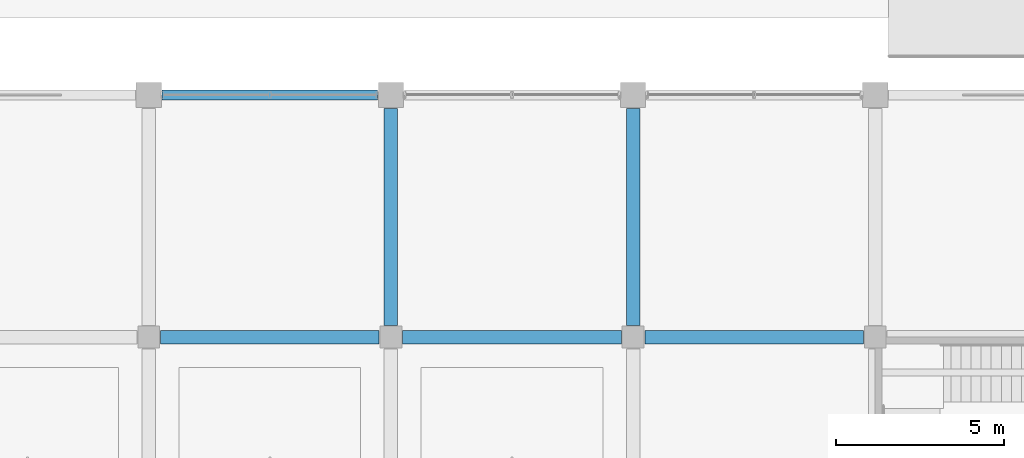
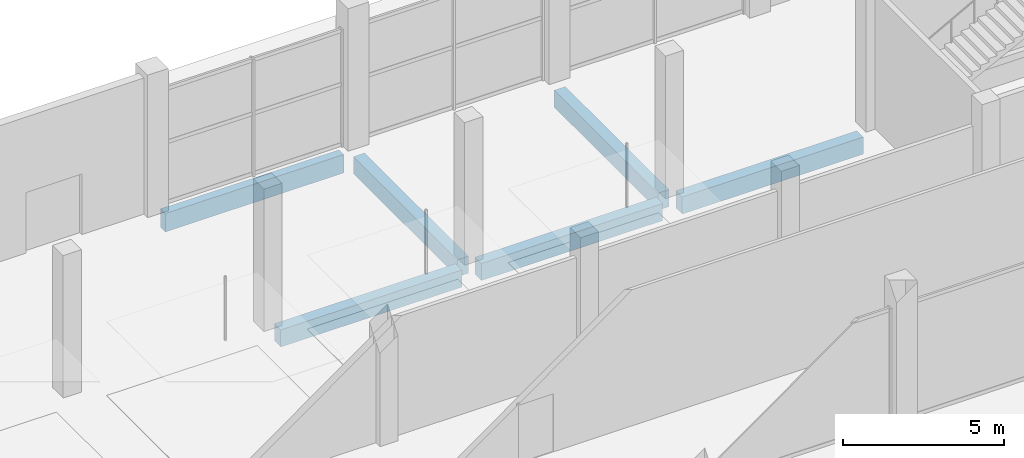
# One storey, part 35 of 90: 6 beams.
"""IFC4 building model written with IfcOpenShell, lengths in metres."""

import ifcopenshell
import ifcopenshell.guid

model = None  # the IFC model being written
_history = None  # IfcOwnerHistory: only IFC2X3 demands one
_inside = {}  # id of a spatial element -> (the spatial element, [elements in it])
_under = {}  # id of a project, library or spatial element -> (it, [spatial elements below it])
_declared = {}  # id of a project -> (the project, [libraries it declares])
_typed = {}  # id of a type object -> (the type object, [elements of that type])
_made_of = {}  # id of a material, layer set ... -> (it, [elements and type objects made of it])


def new_model(schema):
    """Start an empty IFC model of exactly this schema.

    Asked for "IFC4X3", IfcOpenShell would pick the latest addendum, in which some entities
    have other attributes; the version numbers below select the first issue.
    IFC2X3 requires an IfcOwnerHistory on every rooted entity: one is made here for all.
    """
    global model, _history
    if schema == "IFC4X3":
        model = ifcopenshell.file(schema_version=(4, 3, 0, 0))
    else:
        model = ifcopenshell.file(schema=schema)
    _inside.clear()
    _under.clear()
    _declared.clear()
    _typed.clear()
    _made_of.clear()
    _history = None
    if model.schema == "IFC2X3":
        org = make("IfcOrganization", Name="unknown")
        user = make(
            "IfcPersonAndOrganization",
            ThePerson=make("IfcPerson", FamilyName="unknown"),
            TheOrganization=org,
        )
        app = make(
            "IfcApplication",
            ApplicationDeveloper=org,
            Version="unknown",
            ApplicationFullName="unknown",
            ApplicationIdentifier="unknown",
        )
        _history = make(
            "IfcOwnerHistory",
            OwningUser=user,
            OwningApplication=app,
            ChangeAction="ADDED",
            CreationDate=0,
        )
    return model


def make(cls, **values):
    """One entity of the class cls with the attributes given. An attribute that is None is left unset."""
    return model.create_entity(
        cls, **{name: value for name, value in values.items() if value is not None}
    )


def rooted(cls, **values):
    """An entity with a GlobalId (a new one), such as an element, a storey or a relation."""
    return make(cls, GlobalId=ifcopenshell.guid.new(), OwnerHistory=_history, **values)


def si_unit(unit_type, name, prefix=None):
    """IfcSIUnit, for example si_unit("LENGTHUNIT", "METRE", prefix="MILLI")."""
    return make("IfcSIUnit", UnitType=unit_type, Prefix=prefix, Name=name)


def assignment(units):
    """IfcUnitAssignment: the units of a project."""
    return None if units is None else make("IfcUnitAssignment", Units=units)


def point(xyz):
    """IfcCartesianPoint."""
    return None if xyz is None else make("IfcCartesianPoint", Coordinates=xyz)


def direction(xyz):
    """IfcDirection."""
    return None if xyz is None else make("IfcDirection", DirectionRatios=xyz)


def frame(location, z_axis=None, x_axis=None):
    """IfcAxis2Placement3D, a coordinate frame: its origin and axes. An axis left out is left unset."""
    return make(
        "IfcAxis2Placement3D",
        Location=point(location),
        Axis=direction(z_axis),
        RefDirection=direction(x_axis),
    )


def frame_2d(location, x_axis=None):
    """IfcAxis2Placement2D, a coordinate frame in the plane: its origin and x axis."""
    return make(
        "IfcAxis2Placement2D", Location=point(location), RefDirection=direction(x_axis)
    )


def origin():
    """The frame at (0, 0, 0) with its axes left unset."""
    return frame((0.0, 0.0, 0.0))


def origin_2d():
    """The frame at (0, 0) in the plane with its x axis left unset."""
    return frame_2d((0.0, 0.0))


def place(relative_to, where):
    """IfcLocalPlacement: puts the frame where relative to a parent placement (None: the world)."""
    return make(
        "IfcLocalPlacement", PlacementRelTo=relative_to, RelativePlacement=where
    )


def context(
    kind, dimensions, precision=None, world=None, true_north=None, identifier=None
):
    """IfcGeometricRepresentationContext, for example the 3D "Model" context."""
    return make(
        "IfcGeometricRepresentationContext",
        ContextIdentifier=identifier,
        ContextType=kind,
        CoordinateSpaceDimension=dimensions,
        Precision=precision,
        WorldCoordinateSystem=world,
        TrueNorth=true_north,
    )


def subcontext(parent, identifier, kind, view, scale=None):
    """IfcGeometricRepresentationSubContext, for example "Body" below "Model"."""
    return make(
        "IfcGeometricRepresentationSubContext",
        ContextIdentifier=identifier,
        ContextType=kind,
        ParentContext=parent,
        TargetScale=scale,
        TargetView=view,
    )


def project(units=None, contexts=None):
    """IfcProject with its units and contexts."""
    return rooted(
        "IfcProject",
        Name="project",
        RepresentationContexts=contexts,
        UnitsInContext=assignment(units),
    )


def spatial(cls, under=None, at=None, **own):
    """A site, building, storey or space (cls), placed at a placement, below another one or the project."""
    s = rooted(cls, ObjectPlacement=at, **own)
    if under is not None:
        _under.setdefault(under.id(), (under, []))[1].append(s)
    return s


def profile(cls, at=None, kind="AREA", **sizes):
    """A parametric profile (cls). Its sizes go by their IFC names, for example OverallWidth=200.0."""
    return make(cls, ProfileType=kind, Position=at, **sizes)


def rectangle(**sizes):
    """IfcRectangleProfileDef."""
    return profile("IfcRectangleProfileDef", **sizes)


def extrude(swept, where, along, depth):
    """IfcExtrudedAreaSolid: the profile swept, set in the frame where, extruded along a direction by depth."""
    return make(
        "IfcExtrudedAreaSolid",
        SweptArea=swept,
        Position=where,
        ExtrudedDirection=direction(along),
        Depth=depth,
    )


def shape(context_of_items, identifier, shape_type, items):
    """IfcShapeRepresentation: the items that make up one representation, for example the "Body"."""
    return make(
        "IfcShapeRepresentation",
        ContextOfItems=context_of_items,
        RepresentationIdentifier=identifier,
        RepresentationType=shape_type,
        Items=items,
    )


def material(Name=None, Category=None):
    """IfcMaterial."""
    return make("IfcMaterial", Name=Name, Category=Category)


def material_profile(
    of_material, cross_section, Name=None, Category=None, Priority=None
):
    """IfcMaterialProfile: a cross section and its material."""
    return make(
        "IfcMaterialProfile",
        Name=Name,
        Material=of_material,
        Profile=cross_section,
        Priority=Priority,
        Category=Category,
    )


def profile_set(profiles, Name=None, composite=None):
    """IfcMaterialProfileSet."""
    return make(
        "IfcMaterialProfileSet",
        Name=Name,
        MaterialProfiles=profiles,
        CompositeProfile=composite,
    )


def made_of(thing, what):
    """Note that an element or type object is made of a material, layer set ...; save() writes the relation."""
    if what is not None:
        _made_of.setdefault(what.id(), (what, []))[1].append(thing)
    return thing


def type_object(cls, material=None, **own):
    """A type object (cls), such as IfcWallType, which elements share."""
    return made_of(rooted(cls, **own), material)


def element(
    cls,
    number,
    at=None,
    inside=None,
    cuts=None,
    type_object=None,
    material=None,
    context=None,
    identifier="Body",
    shape_type=None,
    held_by="IfcProductDefinitionShape",
    body=None,
    shapes=None,
    **own,
):
    """One element of the class cls, such as IfcWall. Its Tag is "e" and its number.

    at: its placement. inside: the storey or other place that contains it. cuts: it is an
    opening in that element (IfcRelVoidsElement). A single representation is given by context,
    identifier, shape_type and body (its items); several are given by shapes. held_by: the class
    of the entity that holds the representations. save() writes the other relations.
    """
    e = rooted(cls, Tag="e%d" % number, ObjectPlacement=at, **own)
    if body is not None:
        shapes = [shape(context, identifier, shape_type, body)]
    if shapes is not None:
        e.Representation = make(held_by, Representations=shapes)
    if inside is not None:
        _inside.setdefault(inside.id(), (inside, []))[1].append(e)
    if cuts is not None:
        rooted(
            "IfcRelVoidsElement", RelatingBuildingElement=cuts, RelatedOpeningElement=e
        )
    if type_object is not None:
        _typed.setdefault(type_object.id(), (type_object, []))[1].append(e)
    return made_of(e, material)


def aggregate(whole, parts):
    """IfcRelAggregates: a whole, such as a stair, and the parts it consists of."""
    return rooted("IfcRelAggregates", RelatingObject=whole, RelatedObjects=parts)


def save(model, path):
    """Write the relations noted so far, then the file.

    IfcRelAggregates (storeys below a building ...), IfcRelContainedInSpatialStructure (elements
    in a storey), IfcRelDefinesByType, IfcRelAssociatesMaterial and IfcRelDeclares: one each for
    every whole, place, type object, material and project.
    """
    for whole, parts in _under.values():
        aggregate(whole, parts)
    for where, things in _inside.values():
        rooted(
            "IfcRelContainedInSpatialStructure",
            RelatedElements=things,
            RelatingStructure=where,
        )
    for kind, things in _typed.values():
        rooted("IfcRelDefinesByType", RelatedObjects=things, RelatingType=kind)
    for what, things in _made_of.values():
        rooted("IfcRelAssociatesMaterial", RelatedObjects=things, RelatingMaterial=what)
    for by, libraries in _declared.values():
        rooted("IfcRelDeclares", RelatingContext=by, RelatedDefinitions=libraries)
    model.write(path)


model = new_model("IFC4")

# Units and contexts
model_context = context("Model", 3, precision=1e-05, world=origin(), true_north=direction((0.0, 1.0)))
body_context = subcontext(model_context, "Body", "Model", "MODEL_VIEW")
ifc_project = project(units=[si_unit("LENGTHUNIT", "METRE"), si_unit("AREAUNIT", "SQUARE_METRE"), si_unit("VOLUMEUNIT", "CUBIC_METRE"), si_unit("PLANEANGLEUNIT", "RADIAN"), si_unit("MASSUNIT", "GRAM", prefix="KILO")], contexts=[model_context])

# Site, building, storey
site_placement = place(None, origin())
site = spatial("IfcSite", under=ifc_project, at=site_placement, CompositionType="ELEMENT")
building_placement = place(site_placement, origin())
building = spatial("IfcBuilding", under=site, at=building_placement, Name="Kangsadwip Square Police Headquarters", CompositionType="ELEMENT")
storey_placement = place(building_placement, origin())
storey = spatial("IfcBuildingStorey", under=building, at=storey_placement, Name="L00", CompositionType="ELEMENT", Elevation=0.0)

# Beams
ifc_material_1 = material(Name="Concrete M35 (35 MPa)", Category="concrete")
ifc_material_profile_1 = material_profile(ifc_material_1, rectangle(XDim=0.39990234375, YDim=0.64990234375, at=origin_2d()), Name="RC BM 650X400")
ifc_profile_set_1 = profile_set([ifc_material_profile_1], Name="Concrete M35 (35 MPa)")
beam_type_1 = type_object("IfcBeamType", Name="RcBeam650x400", PredefinedType="BEAM", material=ifc_profile_set_1)
for number, where, z_axis, x_axis, name in (
    (1, (108.35009765625, 108.0, -0.574951171875), (1.0, 0.0, 0.0), (0.0, 1.0, 0.0), "Beam BM-L00-X-15-15"),
    (2, (115.550048828125, 108.0, -0.574951171875), (1.0, 0.0, 0.0), (0.0, 1.0, 0.0), "Beam BM-L00-X-16-15"),
    (3, (122.75, 108.0, -0.574951171875), (1.0, 0.0, 0.0), (0.0, 1.0, 0.0), "Beam BM-L00-X-17-15"),
):
    element("IfcBeam", number, at=place(storey_placement, frame(where, z_axis=z_axis, x_axis=x_axis)), inside=storey, type_object=beam_type_1, Name=name, PredefinedType="BEAM", context=body_context, shape_type="SweptSolid", body=[
        extrude(rectangle(XDim=0.39990234375, YDim=0.64990234375, at=origin_2d()), origin(), (0.0, 0.0, 1.0), 6.5),
    ])
for number, where, z_axis, x_axis, name in (
    (4, (115.199951171875, 108.35009765625, -0.574951171875), (0.0, 1.0, 0.0), (-1.0, 0.0, 0.0), "Beam BM-L00-Y-16-15"),
    (5, (122.39990234375, 108.35009765625, -0.574951171875), (0.0, 1.0, 0.0), (-1.0, 0.0, 0.0), "Beam BM-L00-Y-17-15"),
):
    element("IfcBeam", number, at=place(storey_placement, frame(where, z_axis=z_axis, x_axis=x_axis)), inside=storey, type_object=beam_type_1, Name=name, PredefinedType="BEAM", context=body_context, shape_type="SweptSolid", body=[
        extrude(rectangle(XDim=0.39990234375, YDim=0.64990234375, at=origin_2d()), origin(), (0.0, 0.0, 1.0), 6.449951171875),
    ])
ifc_material_2 = material(Name="Concrete M40 (40 MPa)", Category="concrete")
ifc_material_profile_2 = material_profile(ifc_material_2, rectangle(XDim=0.300048828125, YDim=0.699951171875, at=origin_2d()), Name="RC SPN 700X300")
ifc_profile_set_2 = profile_set([ifc_material_profile_2], Name="Concrete M40 (40 MPa)")
beam_type_2 = type_object("IfcBeamType", Name="RcSpandrel700x300", PredefinedType="SPANDREL", material=ifc_profile_set_2)
beam_placement = place(storey_placement, frame((108.39990234375, 115.199951171875, -0.60009765625), z_axis=(1.0, 0.0, 0.0), x_axis=(0.0, 1.0, 0.0)))
element("IfcBeam", 6, at=beam_placement, inside=storey, type_object=beam_type_2, Name="Beam BM-L00-X-15-16", PredefinedType="SPANDREL", context=body_context, shape_type="SweptSolid", body=[
    extrude(rectangle(XDim=0.300048828125, YDim=0.699951171875, at=origin_2d()), origin(), (0.0, 0.0, 1.0), 6.400146484375),
])

save(model, "model.ifc")
